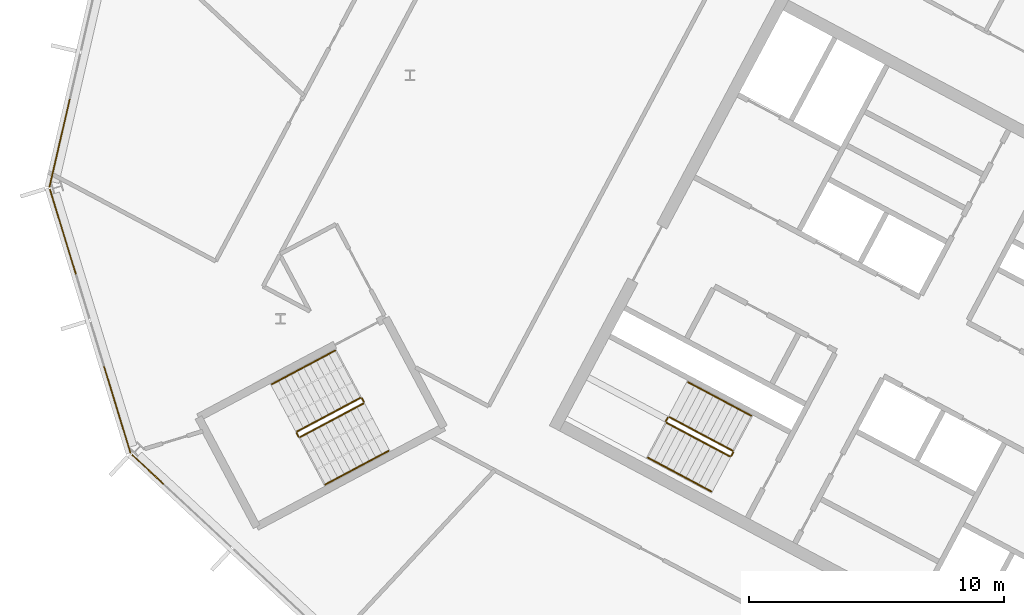
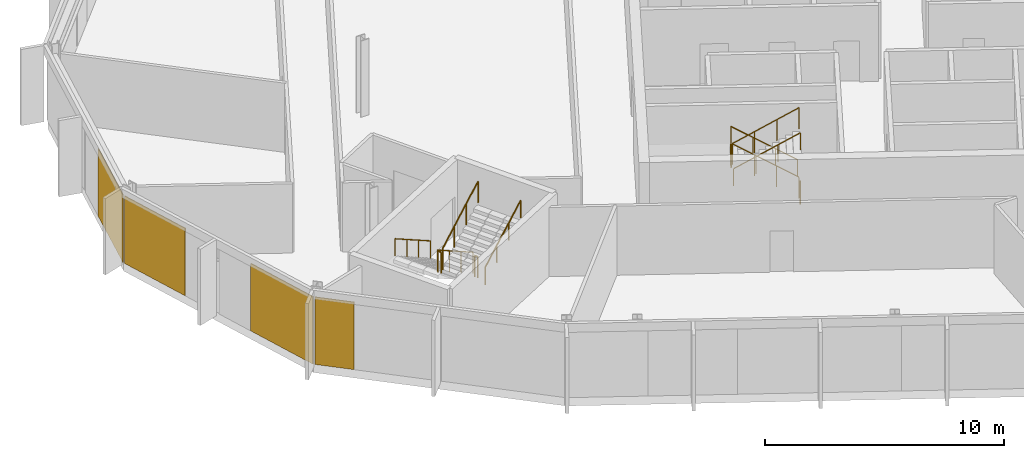
# One storey, part 21 of 26: 12 railings, 4 coverings, 3 elements without a shape of their own.
"""IFC4 building model written with IfcOpenShell, lengths in metres."""

from ifc_helpers import new_model, si_unit, direction, frame, origin, origin_2d, place, context, subcontext, project, spatial, polyline, rectangle, outline, extrude, material, layer, layer_set, type_object, element, aggregate, save


model = new_model("IFC4")

# Units and contexts
model_context = context("Model", 3, precision=1e-05, world=origin(), true_north=direction((0.0, 1.0)))
body_context = subcontext(model_context, "Body", "Model", "MODEL_VIEW")
ifc_project = project(units=[si_unit("LENGTHUNIT", "METRE"), si_unit("AREAUNIT", "SQUARE_METRE"), si_unit("VOLUMEUNIT", "CUBIC_METRE"), si_unit("PLANEANGLEUNIT", "RADIAN"), si_unit("MASSUNIT", "GRAM", prefix="KILO")], contexts=[model_context])

# Site, building, storey
site_placement = place(None, origin())
site = spatial("IfcSite", under=ifc_project, at=site_placement, CompositionType="ELEMENT")
building_placement = place(site_placement, origin())
building = spatial("IfcBuilding", under=site, at=building_placement, Name="Cormorant Relay Tower", CompositionType="ELEMENT")
storey_placement = place(building_placement, frame((0.0, 0.0, 320.39990234375)))
storey = spatial("IfcBuildingStorey", under=building, at=storey_placement, Name="L73", CompositionType="ELEMENT", Elevation=320.39990234375)

# Curtain wall, covering
ifc_material_1 = material(Name="Aluminium 6063-T6 anodised bronze", Category="aluminium")
ifc_layer_1 = layer(ifc_material_1, 0.199951171875)
ifc_layer_set_1 = layer_set([ifc_layer_1], Name="CW1 unitised bronze curtain wall with vertical fins")
curtain_wall_type = type_object("IfcCurtainWallType", Name="CW1 unitised bronze curtain wall with vertical fins", PredefinedType="NOTDEFINED", material=ifc_layer_set_1)
curtain_wall_1_placement = place(storey_placement, origin())
curtain_wall_1 = element("IfcCurtainWall", 1, at=curtain_wall_1_placement, inside=storey, type_object=curtain_wall_type, Name="CW1 curtain wall 13", PredefinedType="NOTDEFINED")
ifc_material_2 = material(Name="Pale bronze anodised aluminium insulated panel", Category="aluminium")
ifc_layer_2 = layer(ifc_material_2, 0.0400390625)
ifc_layer_set_2 = layer_set([ifc_layer_2], Name="CW1 pale bronze insulated panel 40")
covering_type = type_object("IfcCoveringType", Name="CW1 pale bronze insulated panel 40", PredefinedType="CLADDING", material=ifc_layer_set_2)
covering_1_placement = place(storey_placement, frame((-60.3388671875, 22.13232421875, 0.0), z_axis=(0.0, 0.0, 1.0), x_axis=(-0.224951054344, -0.974370064785, 0.0)))
covering_1 = element("IfcCovering", 2, at=covering_1_placement, type_object=covering_type, Name="CW1 panel S02", PredefinedType="CLADDING", context=body_context, shape_type="SweptSolid", body=[
    extrude(rectangle(XDim=3.560302734375, YDim=0.0400390625, at=origin_2d()), origin(), (0.0, 0.0, 1.0), 3.449951171875),
])
aggregate(curtain_wall_1, [covering_1])

# Curtain wall, coverings
curtain_wall_2_placement = place(storey_placement, origin())
curtain_wall_2 = element("IfcCurtainWall", 3, at=curtain_wall_2_placement, inside=storey, type_object=curtain_wall_type, Name="CW1 curtain wall 14", PredefinedType="NOTDEFINED")
covering_2_placement = place(storey_placement, frame((-60.20751953125, 18.6494140625, 0.0), z_axis=(0.0, 0.0, 1.0), x_axis=(0.292371704723, -0.956304755963, 0.0)))
covering_2 = element("IfcCovering", 4, at=covering_2_placement, type_object=covering_type, Name="CW1 panel S00", PredefinedType="CLADDING", context=body_context, shape_type="SweptSolid", body=[
    extrude(rectangle(XDim=3.485107421875, YDim=0.0400390625, at=origin_2d()), origin(), (0.0, 0.0, 1.0), 3.449951171875),
])
covering_3_placement = place(storey_placement, frame((-58.081298828125, 11.6943359375, 0.0), z_axis=(0.0, 0.0, 1.0), x_axis=(0.292371704723, -0.956304755963, 0.0)))
covering_3 = element("IfcCovering", 5, at=covering_3_placement, type_object=covering_type, Name="CW1 panel S03", PredefinedType="CLADDING", context=body_context, shape_type="SweptSolid", body=[
    extrude(rectangle(XDim=3.560302734375, YDim=0.0400390625, at=origin_2d()), origin(), (0.0, 0.0, 1.0), 3.449951171875),
])
aggregate(curtain_wall_2, [covering_2, covering_3])

# Curtain wall, covering
curtain_wall_3_placement = place(storey_placement, origin())
curtain_wall_3 = element("IfcCurtainWall", 6, at=curtain_wall_3_placement, inside=storey, type_object=curtain_wall_type, Name="CW1 curtain wall 15", PredefinedType="NOTDEFINED")
covering_4_placement = place(storey_placement, frame((-56.88427734375, 9.357421875, 0.0), z_axis=(0.0, 0.0, 1.0), x_axis=(0.731353701619, -0.681998360062, 0.0)))
covering_4 = element("IfcCovering", 7, at=covering_4_placement, type_object=covering_type, Name="CW1 panel S00", PredefinedType="CLADDING", context=body_context, shape_type="SweptSolid", body=[
    extrude(rectangle(XDim=1.685302734375, YDim=0.0400390625, at=origin_2d()), origin(), (0.0, 0.0, 1.0), 3.449951171875),
])
aggregate(curtain_wall_3, [covering_4])

# Railings
ifc_material_3 = material(Name="Steel ASTM A572 Grade 50 (Fy 345 MPa)", Category="steel")
railing_type_1 = type_object("IfcRailingType", Name="Stair guard 1100", PredefinedType="GUARDRAIL", material=ifc_material_3)
railing_1_placement = place(storey_placement, frame((-33.9921875, 10.08935546875, 0.177490234375)))
element("IfcRailing", 8, at=railing_1_placement, inside=storey, type_object=railing_type_1, Name="L73 A2 stair guard 1", PredefinedType="GUARDRAIL", context=body_context, shape_type="SweptSolid", body=[
    extrude(outline(polyline([(0.022216796875, 0.00927734375), (0.00927734375, 0.022216796875), (-0.00927734375, 0.022216796875), (-0.022216796875, 0.00927734375), (-0.022216796875, -0.00927734375), (-0.00927734375, -0.022216796875), (0.00927734375, -0.022216796875), (0.022216796875, -0.00927734375), (0.022216796875, 0.00927734375)])), frame((0.0, 0.0, 1.076171875), z_axis=(-0.746001213114, 0.396649272309, 0.534931345884), x_axis=(-0.469465464807, -0.882950835185, 0.0)), (0.0, 0.0, 1.0), 3.31396484375),
    extrude(outline(polyline([(0.019287109375, 0.008056640625), (0.008056640625, 0.019287109375), (-0.008056640625, 0.019287109375), (-0.019287109375, 0.008056640625), (-0.019287109375, -0.008056640625), (-0.008056640625, -0.019287109375), (0.008056640625, -0.019287109375), (0.019287109375, -0.008056640625), (0.019287109375, 0.008056640625)])), origin(), (0.0, 0.0, 1.0), 1.052001953125),
    extrude(outline(polyline([(0.019287109375, 0.008056640625), (0.008056640625, 0.019287109375), (-0.008056640625, 0.019287109375), (-0.019287109375, 0.008056640625), (-0.019287109375, -0.008056640625), (-0.008056640625, -0.019287109375), (0.008056640625, -0.019287109375), (0.019287109375, -0.008056640625), (0.019287109375, 0.008056640625)])), frame((-0.823974609375, 0.438232421875, 0.5908203125)), (0.0, 0.0, 1.0), 1.052001953125),
    extrude(outline(polyline([(0.019287109375, 0.008056640625), (0.008056640625, 0.019287109375), (-0.008056640625, 0.019287109375), (-0.019287109375, 0.008056640625), (-0.019287109375, -0.008056640625), (-0.008056640625, -0.019287109375), (0.008056640625, -0.019287109375), (0.019287109375, -0.008056640625), (0.019287109375, 0.008056640625)])), frame((-1.648193359375, 0.876220703125, 1.181884765625)), (0.0, 0.0, 1.0), 1.052001953125),
    extrude(outline(polyline([(0.019287109375, 0.008056640625), (0.008056640625, 0.019287109375), (-0.008056640625, 0.019287109375), (-0.019287109375, 0.008056640625), (-0.019287109375, -0.008056640625), (-0.008056640625, -0.019287109375), (0.008056640625, -0.019287109375), (0.019287109375, -0.008056640625), (0.019287109375, 0.008056640625)])), frame((-2.47216796875, 1.314453125, 1.772705078125)), (0.0, 0.0, 1.0), 1.052001953125),
])
railing_2_placement = place(storey_placement, frame((-36.531982421875, 11.38330078125, 1.9501953125)))
element("IfcRailing", 9, at=railing_2_placement, inside=storey, type_object=railing_type_1, Name="L73 A2 stair guard 2", PredefinedType="GUARDRAIL", context=body_context, shape_type="SweptSolid", body=[
    extrude(outline(polyline([(0.022216796875, 0.00927734375), (0.00927734375, 0.022216796875), (-0.00927734375, 0.022216796875), (-0.022216796875, 0.00927734375), (-0.022216796875, -0.00927734375), (-0.00927734375, -0.022216796875), (0.00927734375, -0.022216796875), (0.022216796875, -0.00927734375), (0.022216796875, 0.00927734375)])), frame((0.0, 0.0, 1.076171875), z_axis=(-0.469828648786, -0.882757634224, 0.0), x_axis=(0.882757634224, -0.469828648786, 0.0)), (0.0, 0.0, 1.0), 0.150146484375),
    extrude(outline(polyline([(0.019287109375, 0.008056640625), (0.008056640625, 0.019287109375), (-0.008056640625, 0.019287109375), (-0.019287109375, 0.008056640625), (-0.019287109375, -0.008056640625), (-0.008056640625, -0.019287109375), (0.008056640625, -0.019287109375), (0.019287109375, -0.008056640625), (0.019287109375, 0.008056640625)])), origin(), (0.0, 0.0, 1.0), 1.052001953125),
    extrude(outline(polyline([(0.019287109375, 0.008056640625), (0.008056640625, 0.019287109375), (-0.008056640625, 0.019287109375), (-0.019287109375, 0.008056640625), (-0.019287109375, -0.008056640625), (-0.008056640625, -0.019287109375), (0.008056640625, -0.019287109375), (0.019287109375, -0.008056640625), (0.019287109375, 0.008056640625)])), frame((-0.070556640625, -0.132568359375, 0.0)), (0.0, 0.0, 1.0), 1.052001953125),
])
railing_3_placement = place(storey_placement, frame((-36.581787109375, 11.18310546875, 2.12744140625)))
element("IfcRailing", 10, at=railing_3_placement, inside=storey, type_object=railing_type_1, Name="L73 A2 stair guard 3", PredefinedType="GUARDRAIL", context=body_context, shape_type="SweptSolid", body=[
    extrude(outline(polyline([(0.022216796875, 0.00927734375), (0.00927734375, 0.022216796875), (-0.00927734375, 0.022216796875), (-0.022216796875, 0.00927734375), (-0.022216796875, -0.00927734375), (-0.00927734375, -0.022216796875), (0.00927734375, -0.022216796875), (0.022216796875, -0.00927734375), (0.022216796875, 0.00927734375)])), frame((0.0, 0.0, 1.076171875), z_axis=(0.746001213114, -0.396649272309, 0.534931345884), x_axis=(0.469465464807, 0.882950835185, 0.0)), (0.0, 0.0, 1.0), 3.31396484375),
    extrude(outline(polyline([(0.019287109375, 0.008056640625), (0.008056640625, 0.019287109375), (-0.008056640625, 0.019287109375), (-0.019287109375, 0.008056640625), (-0.019287109375, -0.008056640625), (-0.008056640625, -0.019287109375), (0.008056640625, -0.019287109375), (0.019287109375, -0.008056640625), (0.019287109375, 0.008056640625)])), origin(), (0.0, 0.0, 1.0), 1.052001953125),
    extrude(outline(polyline([(0.019287109375, 0.008056640625), (0.008056640625, 0.019287109375), (-0.008056640625, 0.019287109375), (-0.019287109375, 0.008056640625), (-0.019287109375, -0.008056640625), (-0.008056640625, -0.019287109375), (0.008056640625, -0.019287109375), (0.019287109375, -0.008056640625), (0.019287109375, 0.008056640625)])), frame((0.823974609375, -0.438232421875, 0.5908203125)), (0.0, 0.0, 1.0), 1.052001953125),
    extrude(outline(polyline([(0.019287109375, 0.008056640625), (0.008056640625, 0.019287109375), (-0.008056640625, 0.019287109375), (-0.019287109375, 0.008056640625), (-0.019287109375, -0.008056640625), (-0.008056640625, -0.019287109375), (0.008056640625, -0.019287109375), (0.019287109375, -0.008056640625), (0.019287109375, 0.008056640625)])), frame((1.648193359375, -0.876220703125, 1.181884765625)), (0.0, 0.0, 1.0), 1.052001953125),
    extrude(outline(polyline([(0.019287109375, 0.008056640625), (0.008056640625, 0.019287109375), (-0.008056640625, 0.019287109375), (-0.019287109375, 0.008056640625), (-0.019287109375, -0.008056640625), (-0.008056640625, -0.019287109375), (0.008056640625, -0.019287109375), (0.019287109375, -0.008056640625), (0.019287109375, 0.008056640625)])), frame((2.47216796875, -1.314453125, 1.772705078125)), (0.0, 0.0, 1.0), 1.052001953125),
])
railing_4_placement = place(storey_placement, frame((-33.971435546875, 10.021728515625, 0.0)))
element("IfcRailing", 11, at=railing_4_placement, inside=storey, type_object=railing_type_1, Name="L73 A2 stair guard 4", PredefinedType="GUARDRAIL", context=body_context, shape_type="SweptSolid", body=[
    extrude(outline(polyline([(0.022216796875, 0.00927734375), (0.00927734375, 0.022216796875), (-0.00927734375, 0.022216796875), (-0.022216796875, 0.00927734375), (-0.022216796875, -0.00927734375), (-0.00927734375, -0.022216796875), (0.00927734375, -0.022216796875), (0.022216796875, -0.00927734375), (0.022216796875, 0.00927734375)])), frame((0.0, 0.0, 1.076171875), z_axis=(-0.470503732759, -0.882398003998, 0.0), x_axis=(0.882398003998, -0.470503732759, 0.0)), (0.0, 0.0, 1.0), 0.14990234375),
    extrude(outline(polyline([(0.019287109375, 0.008056640625), (0.008056640625, 0.019287109375), (-0.008056640625, 0.019287109375), (-0.019287109375, 0.008056640625), (-0.019287109375, -0.008056640625), (-0.008056640625, -0.019287109375), (0.008056640625, -0.019287109375), (0.019287109375, -0.008056640625), (0.019287109375, 0.008056640625)])), origin(), (0.0, 0.0, 1.0), 1.052001953125),
    extrude(outline(polyline([(0.019287109375, 0.008056640625), (0.008056640625, 0.019287109375), (-0.008056640625, 0.019287109375), (-0.019287109375, 0.008056640625), (-0.019287109375, -0.008056640625), (-0.008056640625, -0.019287109375), (0.008056640625, -0.019287109375), (0.019287109375, -0.008056640625), (0.019287109375, 0.008056640625)])), frame((-0.070556640625, -0.13232421875, 0.0)), (0.0, 0.0, 1.0), 1.052001953125),
])
railing_5_placement = place(storey_placement, frame((-48.5693359375, 12.155517578125, 0.177490234375)))
element("IfcRailing", 12, at=railing_5_placement, inside=storey, type_object=railing_type_1, Name="L73 RP1 stair guard 1", PredefinedType="GUARDRAIL", context=body_context, shape_type="SweptSolid", body=[
    extrude(outline(polyline([(0.022216796875, 0.00927734375), (0.00927734375, 0.022216796875), (-0.00927734375, 0.022216796875), (-0.022216796875, 0.00927734375), (-0.022216796875, -0.00927734375), (-0.00927734375, -0.022216796875), (0.00927734375, -0.022216796875), (0.022216796875, -0.00927734375), (0.022216796875, 0.00927734375)])), frame((0.0, 0.0, 1.076171875), z_axis=(-0.746012083385, -0.396689549623, 0.534886317514), x_axis=(0.469497295046, -0.882933910293, 0.0)), (0.0, 0.0, 1.0), 3.314208984375),
    extrude(outline(polyline([(0.019287109375, 0.008056640625), (0.008056640625, 0.019287109375), (-0.008056640625, 0.019287109375), (-0.019287109375, 0.008056640625), (-0.019287109375, -0.008056640625), (-0.008056640625, -0.019287109375), (0.008056640625, -0.019287109375), (0.019287109375, -0.008056640625), (0.019287109375, 0.008056640625)])), origin(), (0.0, 0.0, 1.0), 1.052001953125),
    extrude(outline(polyline([(0.019287109375, 0.008056640625), (0.008056640625, 0.019287109375), (-0.008056640625, 0.019287109375), (-0.019287109375, 0.008056640625), (-0.019287109375, -0.008056640625), (-0.008056640625, -0.019287109375), (0.008056640625, -0.019287109375), (0.019287109375, -0.008056640625), (0.019287109375, 0.008056640625)])), frame((-0.82421875, -0.438232421875, 0.5908203125)), (0.0, 0.0, 1.0), 1.052001953125),
    extrude(outline(polyline([(0.019287109375, 0.008056640625), (0.008056640625, 0.019287109375), (-0.008056640625, 0.019287109375), (-0.019287109375, 0.008056640625), (-0.019287109375, -0.008056640625), (-0.008056640625, -0.019287109375), (0.008056640625, -0.019287109375), (0.019287109375, -0.008056640625), (0.019287109375, 0.008056640625)])), frame((-1.648193359375, -0.87646484375, 1.181884765625)), (0.0, 0.0, 1.0), 1.052001953125),
    extrude(outline(polyline([(0.019287109375, 0.008056640625), (0.008056640625, 0.019287109375), (-0.008056640625, 0.019287109375), (-0.019287109375, 0.008056640625), (-0.019287109375, -0.008056640625), (-0.008056640625, -0.019287109375), (0.008056640625, -0.019287109375), (0.019287109375, -0.008056640625), (0.019287109375, 0.008056640625)])), frame((-2.472412109375, -1.314697265625, 1.772705078125)), (0.0, 0.0, 1.0), 1.052001953125),
])
railing_6_placement = place(storey_placement, frame((-51.062255859375, 10.773193359375, 1.9501953125)))
element("IfcRailing", 13, at=railing_6_placement, inside=storey, type_object=railing_type_1, Name="L73 RP1 stair guard 2", PredefinedType="GUARDRAIL", context=body_context, shape_type="SweptSolid", body=[
    extrude(outline(polyline([(0.022216796875, 0.00927734375), (0.00927734375, 0.022216796875), (-0.00927734375, 0.022216796875), (-0.022216796875, 0.00927734375), (-0.022216796875, -0.00927734375), (-0.00927734375, -0.022216796875), (0.00927734375, -0.022216796875), (0.022216796875, -0.00927734375), (0.022216796875, 0.00927734375)])), frame((0.0, 0.0, 1.076171875), z_axis=(0.469234640946, -0.883073525669, 0.0), x_axis=(0.883073525669, 0.469234640946, 0.0)), (0.0, 0.0, 1.0), 0.14990234375),
    extrude(outline(polyline([(0.019287109375, 0.008056640625), (0.008056640625, 0.019287109375), (-0.008056640625, 0.019287109375), (-0.019287109375, 0.008056640625), (-0.019287109375, -0.008056640625), (-0.008056640625, -0.019287109375), (0.008056640625, -0.019287109375), (0.019287109375, -0.008056640625), (0.019287109375, 0.008056640625)])), origin(), (0.0, 0.0, 1.0), 1.052001953125),
    extrude(outline(polyline([(0.019287109375, 0.008056640625), (0.008056640625, 0.019287109375), (-0.008056640625, 0.019287109375), (-0.019287109375, 0.008056640625), (-0.019287109375, -0.008056640625), (-0.008056640625, -0.019287109375), (0.008056640625, -0.019287109375), (0.019287109375, -0.008056640625), (0.019287109375, 0.008056640625)])), frame((0.0703125, -0.13232421875, 0.0)), (0.0, 0.0, 1.0), 1.052001953125),
])
railing_7_placement = place(storey_placement, frame((-50.92431640625, 10.6201171875, 2.12744140625)))
element("IfcRailing", 14, at=railing_7_placement, inside=storey, type_object=railing_type_1, Name="L73 RP1 stair guard 3", PredefinedType="GUARDRAIL", context=body_context, shape_type="SweptSolid", body=[
    extrude(outline(polyline([(0.022216796875, 0.00927734375), (0.00927734375, 0.022216796875), (-0.00927734375, 0.022216796875), (-0.022216796875, 0.00927734375), (-0.022216796875, -0.00927734375), (-0.00927734375, -0.022216796875), (0.00927734375, -0.022216796875), (0.022216796875, -0.00927734375), (0.022216796875, 0.00927734375)])), frame((0.0, 0.0, 1.076171875), z_axis=(0.746033882577, 0.396627473466, 0.534901947407), x_axis=(-0.469429322983, 0.882970050864, 0.0)), (0.0, 0.0, 1.0), 3.31396484375),
    extrude(outline(polyline([(0.019287109375, 0.008056640625), (0.008056640625, 0.019287109375), (-0.008056640625, 0.019287109375), (-0.019287109375, 0.008056640625), (-0.019287109375, -0.008056640625), (-0.008056640625, -0.019287109375), (0.008056640625, -0.019287109375), (0.019287109375, -0.008056640625), (0.019287109375, 0.008056640625)])), origin(), (0.0, 0.0, 1.0), 1.052001953125),
    extrude(outline(polyline([(0.019287109375, 0.008056640625), (0.008056640625, 0.019287109375), (-0.008056640625, 0.019287109375), (-0.019287109375, 0.008056640625), (-0.019287109375, -0.008056640625), (-0.008056640625, -0.019287109375), (0.008056640625, -0.019287109375), (0.019287109375, -0.008056640625), (0.019287109375, 0.008056640625)])), frame((0.82421875, 0.438232421875, 0.5908203125)), (0.0, 0.0, 1.0), 1.052001953125),
    extrude(outline(polyline([(0.019287109375, 0.008056640625), (0.008056640625, 0.019287109375), (-0.008056640625, 0.019287109375), (-0.019287109375, 0.008056640625), (-0.019287109375, -0.008056640625), (-0.008056640625, -0.019287109375), (0.008056640625, -0.019287109375), (0.019287109375, -0.008056640625), (0.019287109375, 0.008056640625)])), frame((1.648193359375, 0.876220703125, 1.181884765625)), (0.0, 0.0, 1.0), 1.052001953125),
    extrude(outline(polyline([(0.019287109375, 0.008056640625), (0.008056640625, 0.019287109375), (-0.008056640625, 0.019287109375), (-0.019287109375, 0.008056640625), (-0.019287109375, -0.008056640625), (-0.008056640625, -0.019287109375), (0.008056640625, -0.019287109375), (0.019287109375, -0.008056640625), (0.019287109375, 0.008056640625)])), frame((2.472412109375, 1.314453125, 1.772705078125)), (0.0, 0.0, 1.0), 1.052001953125),
])
railing_8_placement = place(storey_placement, frame((-48.501708984375, 12.134765625, 0.0)))
element("IfcRailing", 15, at=railing_8_placement, inside=storey, type_object=railing_type_1, Name="L73 RP1 stair guard 4", PredefinedType="GUARDRAIL", context=body_context, shape_type="SweptSolid", body=[
    extrude(outline(polyline([(0.022216796875, 0.00927734375), (0.00927734375, 0.022216796875), (-0.00927734375, 0.022216796875), (-0.022216796875, 0.00927734375), (-0.022216796875, -0.00927734375), (-0.00927734375, -0.022216796875), (0.00927734375, -0.022216796875), (0.022216796875, -0.00927734375), (0.022216796875, 0.00927734375)])), frame((0.0, 0.0, 1.076171875), z_axis=(0.46856034887, -0.8834314911, 0.0), x_axis=(0.8834314911, 0.46856034887, 0.0)), (0.0, 0.0, 1.0), 0.150146484375),
    extrude(outline(polyline([(0.019287109375, 0.008056640625), (0.008056640625, 0.019287109375), (-0.008056640625, 0.019287109375), (-0.019287109375, 0.008056640625), (-0.019287109375, -0.008056640625), (-0.008056640625, -0.019287109375), (0.008056640625, -0.019287109375), (0.019287109375, -0.008056640625), (0.019287109375, 0.008056640625)])), origin(), (0.0, 0.0, 1.0), 1.052001953125),
    extrude(outline(polyline([(0.019287109375, 0.008056640625), (0.008056640625, 0.019287109375), (-0.008056640625, 0.019287109375), (-0.019287109375, 0.008056640625), (-0.019287109375, -0.008056640625), (-0.008056640625, -0.019287109375), (0.008056640625, -0.019287109375), (0.019287109375, -0.008056640625), (0.019287109375, 0.008056640625)])), frame((0.0703125, -0.132568359375, 0.0)), (0.0, 0.0, 1.0), 1.052001953125),
])
ifc_material_4 = material(Name="Steel ASTM A572 Grade 50 (Fy 345 MPa)", Category="steel")
railing_type_2 = type_object("IfcRailingType", Name="Stair handrail 900", PredefinedType="HANDRAIL", material=ifc_material_4)
railing_9_placement = place(storey_placement, frame((-33.264404296875, 11.4580078125, 0.177490234375)))
element("IfcRailing", 16, at=railing_9_placement, inside=storey, type_object=railing_type_2, Name="L73 A2 stair handrail 1", PredefinedType="HANDRAIL", context=body_context, shape_type="SweptSolid", body=[
    extrude(outline(polyline([(0.022216796875, 0.00927734375), (0.00927734375, 0.022216796875), (-0.00927734375, 0.022216796875), (-0.022216796875, 0.00927734375), (-0.022216796875, -0.00927734375), (-0.00927734375, -0.022216796875), (0.00927734375, -0.022216796875), (0.022216796875, -0.00927734375), (0.022216796875, 0.00927734375)])), frame((0.0, 0.0, 0.8759765625), z_axis=(-0.746033882577, 0.396627473466, 0.534901947407), x_axis=(-0.469429322983, -0.882970050864, 0.0)), (0.0, 0.0, 1.0), 3.31396484375),
    extrude(outline(polyline([(0.019287109375, 0.008056640625), (0.008056640625, 0.019287109375), (-0.008056640625, 0.019287109375), (-0.019287109375, 0.008056640625), (-0.019287109375, -0.008056640625), (-0.008056640625, -0.019287109375), (0.008056640625, -0.019287109375), (0.019287109375, -0.008056640625), (0.019287109375, 0.008056640625)])), origin(), (0.0, 0.0, 1.0), 0.851806640625),
    extrude(outline(polyline([(0.019287109375, 0.008056640625), (0.008056640625, 0.019287109375), (-0.008056640625, 0.019287109375), (-0.019287109375, 0.008056640625), (-0.019287109375, -0.008056640625), (-0.008056640625, -0.019287109375), (0.008056640625, -0.019287109375), (0.019287109375, -0.008056640625), (0.019287109375, 0.008056640625)])), frame((-0.82421875, 0.438232421875, 0.5908203125)), (0.0, 0.0, 1.0), 0.851806640625),
    extrude(outline(polyline([(0.019287109375, 0.008056640625), (0.008056640625, 0.019287109375), (-0.008056640625, 0.019287109375), (-0.019287109375, 0.008056640625), (-0.019287109375, -0.008056640625), (-0.008056640625, -0.019287109375), (0.008056640625, -0.019287109375), (0.019287109375, -0.008056640625), (0.019287109375, 0.008056640625)])), frame((-1.648193359375, 0.876220703125, 1.181884765625)), (0.0, 0.0, 1.0), 0.851806640625),
    extrude(outline(polyline([(0.019287109375, 0.008056640625), (0.008056640625, 0.019287109375), (-0.008056640625, 0.019287109375), (-0.019287109375, 0.008056640625), (-0.019287109375, -0.008056640625), (-0.008056640625, -0.019287109375), (0.008056640625, -0.019287109375), (0.019287109375, -0.008056640625), (0.019287109375, 0.008056640625)])), frame((-2.472412109375, 1.314453125, 1.772705078125)), (0.0, 0.0, 1.0), 0.851806640625),
])
railing_10_placement = place(storey_placement, frame((-37.3095703125, 9.814453125, 2.12744140625)))
element("IfcRailing", 17, at=railing_10_placement, inside=storey, type_object=railing_type_2, Name="L73 A2 stair handrail 2", PredefinedType="HANDRAIL", context=body_context, shape_type="SweptSolid", body=[
    extrude(outline(polyline([(0.022216796875, 0.00927734375), (0.00927734375, 0.022216796875), (-0.00927734375, 0.022216796875), (-0.022216796875, 0.00927734375), (-0.022216796875, -0.00927734375), (-0.00927734375, -0.022216796875), (0.00927734375, -0.022216796875), (0.022216796875, -0.00927734375), (0.022216796875, 0.00927734375)])), frame((0.0, 0.0, 0.8759765625), z_axis=(0.746033882577, -0.396627473466, 0.534901947407), x_axis=(0.469429322983, 0.882970050864, 0.0)), (0.0, 0.0, 1.0), 3.31396484375),
    extrude(outline(polyline([(0.019287109375, 0.008056640625), (0.008056640625, 0.019287109375), (-0.008056640625, 0.019287109375), (-0.019287109375, 0.008056640625), (-0.019287109375, -0.008056640625), (-0.008056640625, -0.019287109375), (0.008056640625, -0.019287109375), (0.019287109375, -0.008056640625), (0.019287109375, 0.008056640625)])), origin(), (0.0, 0.0, 1.0), 0.851806640625),
    extrude(outline(polyline([(0.019287109375, 0.008056640625), (0.008056640625, 0.019287109375), (-0.008056640625, 0.019287109375), (-0.019287109375, 0.008056640625), (-0.019287109375, -0.008056640625), (-0.008056640625, -0.019287109375), (0.008056640625, -0.019287109375), (0.019287109375, -0.008056640625), (0.019287109375, 0.008056640625)])), frame((0.82421875, -0.438232421875, 0.5908203125)), (0.0, 0.0, 1.0), 0.851806640625),
    extrude(outline(polyline([(0.019287109375, 0.008056640625), (0.008056640625, 0.019287109375), (-0.008056640625, 0.019287109375), (-0.019287109375, 0.008056640625), (-0.019287109375, -0.008056640625), (-0.008056640625, -0.019287109375), (0.008056640625, -0.019287109375), (0.019287109375, -0.008056640625), (0.019287109375, 0.008056640625)])), frame((1.648193359375, -0.876220703125, 1.181884765625)), (0.0, 0.0, 1.0), 0.851806640625),
    extrude(outline(polyline([(0.019287109375, 0.008056640625), (0.008056640625, 0.019287109375), (-0.008056640625, 0.019287109375), (-0.019287109375, 0.008056640625), (-0.019287109375, -0.008056640625), (-0.008056640625, -0.019287109375), (0.008056640625, -0.019287109375), (0.019287109375, -0.008056640625), (0.019287109375, 0.008056640625)])), frame((2.472412109375, -1.314453125, 1.772705078125)), (0.0, 0.0, 1.0), 0.851806640625),
])
railing_11_placement = place(storey_placement, frame((-49.55517578125, 14.009521484375, 0.177490234375)))
element("IfcRailing", 18, at=railing_11_placement, inside=storey, type_object=railing_type_2, Name="L73 RP1 stair handrail 1", PredefinedType="HANDRAIL", context=body_context, shape_type="SweptSolid", body=[
    extrude(outline(polyline([(0.022216796875, 0.00927734375), (0.00927734375, 0.022216796875), (-0.00927734375, 0.022216796875), (-0.022216796875, 0.00927734375), (-0.022216796875, -0.00927734375), (-0.00927734375, -0.022216796875), (0.00927734375, -0.022216796875), (0.022216796875, -0.00927734375), (0.022216796875, 0.00927734375)])), frame((0.0, 0.0, 0.8759765625), z_axis=(-0.746033882577, -0.396627473466, 0.534901947407), x_axis=(0.469429322983, -0.882970050864, 0.0)), (0.0, 0.0, 1.0), 3.31396484375),
    extrude(outline(polyline([(0.019287109375, 0.008056640625), (0.008056640625, 0.019287109375), (-0.008056640625, 0.019287109375), (-0.019287109375, 0.008056640625), (-0.019287109375, -0.008056640625), (-0.008056640625, -0.019287109375), (0.008056640625, -0.019287109375), (0.019287109375, -0.008056640625), (0.019287109375, 0.008056640625)])), origin(), (0.0, 0.0, 1.0), 0.851806640625),
    extrude(outline(polyline([(0.019287109375, 0.008056640625), (0.008056640625, 0.019287109375), (-0.008056640625, 0.019287109375), (-0.019287109375, 0.008056640625), (-0.019287109375, -0.008056640625), (-0.008056640625, -0.019287109375), (0.008056640625, -0.019287109375), (0.019287109375, -0.008056640625), (0.019287109375, 0.008056640625)])), frame((-0.82421875, -0.438232421875, 0.5908203125)), (0.0, 0.0, 1.0), 0.851806640625),
    extrude(outline(polyline([(0.019287109375, 0.008056640625), (0.008056640625, 0.019287109375), (-0.008056640625, 0.019287109375), (-0.019287109375, 0.008056640625), (-0.019287109375, -0.008056640625), (-0.008056640625, -0.019287109375), (0.008056640625, -0.019287109375), (0.019287109375, -0.008056640625), (0.019287109375, 0.008056640625)])), frame((-1.648193359375, -0.876220703125, 1.181884765625)), (0.0, 0.0, 1.0), 0.851806640625),
    extrude(outline(polyline([(0.019287109375, 0.008056640625), (0.008056640625, 0.019287109375), (-0.008056640625, 0.019287109375), (-0.019287109375, 0.008056640625), (-0.019287109375, -0.008056640625), (-0.008056640625, -0.019287109375), (0.008056640625, -0.019287109375), (0.019287109375, -0.008056640625), (0.019287109375, 0.008056640625)])), frame((-2.472412109375, -1.314453125, 1.772705078125)), (0.0, 0.0, 1.0), 0.851806640625),
])
railing_12_placement = place(storey_placement, frame((-49.9384765625, 8.765869140625, 2.12744140625)))
element("IfcRailing", 19, at=railing_12_placement, inside=storey, type_object=railing_type_2, Name="L73 RP1 stair handrail 2", PredefinedType="HANDRAIL", context=body_context, shape_type="SweptSolid", body=[
    extrude(outline(polyline([(0.022216796875, 0.00927734375), (0.00927734375, 0.022216796875), (-0.00927734375, 0.022216796875), (-0.022216796875, 0.00927734375), (-0.022216796875, -0.00927734375), (-0.00927734375, -0.022216796875), (0.00927734375, -0.022216796875), (0.022216796875, -0.00927734375), (0.022216796875, 0.00927734375)])), frame((0.0, 0.0, 0.8759765625), z_axis=(0.746012083385, 0.396689549623, 0.534886317514), x_axis=(-0.469497295046, 0.882933910293, 0.0)), (0.0, 0.0, 1.0), 3.314208984375),
    extrude(outline(polyline([(0.019287109375, 0.008056640625), (0.008056640625, 0.019287109375), (-0.008056640625, 0.019287109375), (-0.019287109375, 0.008056640625), (-0.019287109375, -0.008056640625), (-0.008056640625, -0.019287109375), (0.008056640625, -0.019287109375), (0.019287109375, -0.008056640625), (0.019287109375, 0.008056640625)])), origin(), (0.0, 0.0, 1.0), 0.851806640625),
    extrude(outline(polyline([(0.019287109375, 0.008056640625), (0.008056640625, 0.019287109375), (-0.008056640625, 0.019287109375), (-0.019287109375, 0.008056640625), (-0.019287109375, -0.008056640625), (-0.008056640625, -0.019287109375), (0.008056640625, -0.019287109375), (0.019287109375, -0.008056640625), (0.019287109375, 0.008056640625)])), frame((0.82421875, 0.438232421875, 0.5908203125)), (0.0, 0.0, 1.0), 0.851806640625),
    extrude(outline(polyline([(0.019287109375, 0.008056640625), (0.008056640625, 0.019287109375), (-0.008056640625, 0.019287109375), (-0.019287109375, 0.008056640625), (-0.019287109375, -0.008056640625), (-0.008056640625, -0.019287109375), (0.008056640625, -0.019287109375), (0.019287109375, -0.008056640625), (0.019287109375, 0.008056640625)])), frame((1.648193359375, 0.87646484375, 1.181884765625)), (0.0, 0.0, 1.0), 0.851806640625),
    extrude(outline(polyline([(0.019287109375, 0.008056640625), (0.008056640625, 0.019287109375), (-0.008056640625, 0.019287109375), (-0.019287109375, 0.008056640625), (-0.019287109375, -0.008056640625), (-0.008056640625, -0.019287109375), (0.008056640625, -0.019287109375), (0.019287109375, -0.008056640625), (0.019287109375, 0.008056640625)])), frame((2.472412109375, 1.314697265625, 1.772705078125)), (0.0, 0.0, 1.0), 0.851806640625),
])

save(model, "model.ifc")
